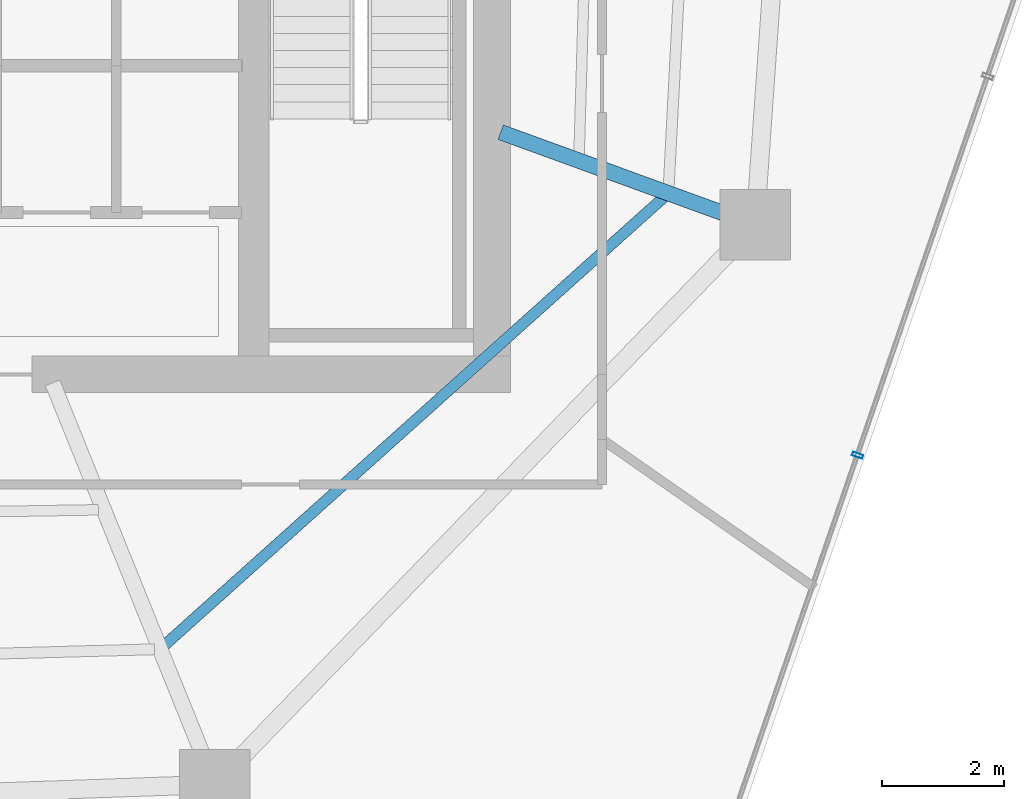
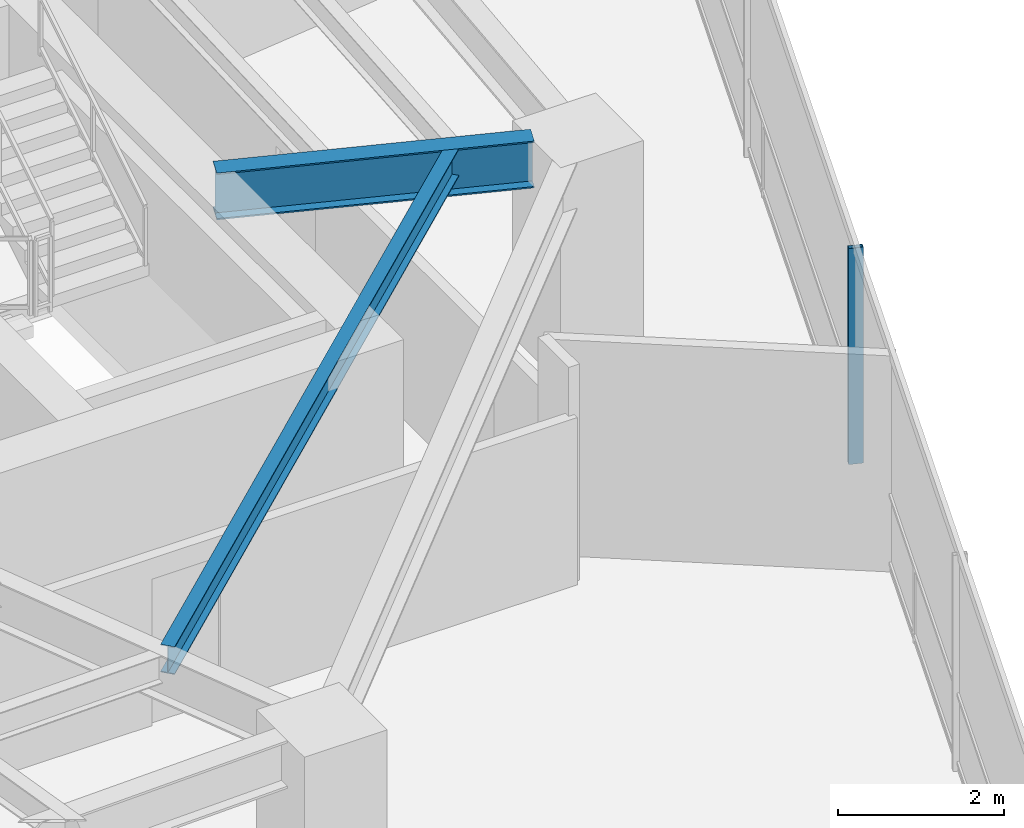
# One storey, part 11 of 27: 2 beams, 1 member, 1 element without a shape of its own.
"""IFC4 building model written with IfcOpenShell, lengths in metres."""

import ifcopenshell
import ifcopenshell.guid

model = None  # the IFC model being written
_history = None  # IfcOwnerHistory: only IFC2X3 demands one
_inside = {}  # id of a spatial element -> (the spatial element, [elements in it])
_under = {}  # id of a project, library or spatial element -> (it, [spatial elements below it])
_declared = {}  # id of a project -> (the project, [libraries it declares])
_typed = {}  # id of a type object -> (the type object, [elements of that type])
_made_of = {}  # id of a material, layer set ... -> (it, [elements and type objects made of it])


def new_model(schema):
    """Start an empty IFC model of exactly this schema.

    Asked for "IFC4X3", IfcOpenShell would pick the latest addendum, in which some entities
    have other attributes; the version numbers below select the first issue.
    IFC2X3 requires an IfcOwnerHistory on every rooted entity: one is made here for all.
    """
    global model, _history
    if schema == "IFC4X3":
        model = ifcopenshell.file(schema_version=(4, 3, 0, 0))
    else:
        model = ifcopenshell.file(schema=schema)
    _inside.clear()
    _under.clear()
    _declared.clear()
    _typed.clear()
    _made_of.clear()
    _history = None
    if model.schema == "IFC2X3":
        org = make("IfcOrganization", Name="unknown")
        user = make(
            "IfcPersonAndOrganization",
            ThePerson=make("IfcPerson", FamilyName="unknown"),
            TheOrganization=org,
        )
        app = make(
            "IfcApplication",
            ApplicationDeveloper=org,
            Version="unknown",
            ApplicationFullName="unknown",
            ApplicationIdentifier="unknown",
        )
        _history = make(
            "IfcOwnerHistory",
            OwningUser=user,
            OwningApplication=app,
            ChangeAction="ADDED",
            CreationDate=0,
        )
    return model


def make(cls, **values):
    """One entity of the class cls with the attributes given. An attribute that is None is left unset."""
    return model.create_entity(
        cls, **{name: value for name, value in values.items() if value is not None}
    )


def rooted(cls, **values):
    """An entity with a GlobalId (a new one), such as an element, a storey or a relation."""
    return make(cls, GlobalId=ifcopenshell.guid.new(), OwnerHistory=_history, **values)


def si_unit(unit_type, name, prefix=None):
    """IfcSIUnit, for example si_unit("LENGTHUNIT", "METRE", prefix="MILLI")."""
    return make("IfcSIUnit", UnitType=unit_type, Prefix=prefix, Name=name)


def assignment(units):
    """IfcUnitAssignment: the units of a project."""
    return None if units is None else make("IfcUnitAssignment", Units=units)


def point(xyz):
    """IfcCartesianPoint."""
    return None if xyz is None else make("IfcCartesianPoint", Coordinates=xyz)


def direction(xyz):
    """IfcDirection."""
    return None if xyz is None else make("IfcDirection", DirectionRatios=xyz)


def frame(location, z_axis=None, x_axis=None):
    """IfcAxis2Placement3D, a coordinate frame: its origin and axes. An axis left out is left unset."""
    return make(
        "IfcAxis2Placement3D",
        Location=point(location),
        Axis=direction(z_axis),
        RefDirection=direction(x_axis),
    )


def frame_2d(location, x_axis=None):
    """IfcAxis2Placement2D, a coordinate frame in the plane: its origin and x axis."""
    return make(
        "IfcAxis2Placement2D", Location=point(location), RefDirection=direction(x_axis)
    )


def origin():
    """The frame at (0, 0, 0) with its axes left unset."""
    return frame((0.0, 0.0, 0.0))


def origin_2d():
    """The frame at (0, 0) in the plane with its x axis left unset."""
    return frame_2d((0.0, 0.0))


def place(relative_to, where):
    """IfcLocalPlacement: puts the frame where relative to a parent placement (None: the world)."""
    return make(
        "IfcLocalPlacement", PlacementRelTo=relative_to, RelativePlacement=where
    )


def context(
    kind, dimensions, precision=None, world=None, true_north=None, identifier=None
):
    """IfcGeometricRepresentationContext, for example the 3D "Model" context."""
    return make(
        "IfcGeometricRepresentationContext",
        ContextIdentifier=identifier,
        ContextType=kind,
        CoordinateSpaceDimension=dimensions,
        Precision=precision,
        WorldCoordinateSystem=world,
        TrueNorth=true_north,
    )


def subcontext(parent, identifier, kind, view, scale=None):
    """IfcGeometricRepresentationSubContext, for example "Body" below "Model"."""
    return make(
        "IfcGeometricRepresentationSubContext",
        ContextIdentifier=identifier,
        ContextType=kind,
        ParentContext=parent,
        TargetScale=scale,
        TargetView=view,
    )


def project(units=None, contexts=None):
    """IfcProject with its units and contexts."""
    return rooted(
        "IfcProject",
        Name="project",
        RepresentationContexts=contexts,
        UnitsInContext=assignment(units),
    )


def spatial(cls, under=None, at=None, **own):
    """A site, building, storey or space (cls), placed at a placement, below another one or the project."""
    s = rooted(cls, ObjectPlacement=at, **own)
    if under is not None:
        _under.setdefault(under.id(), (under, []))[1].append(s)
    return s


def profile(cls, at=None, kind="AREA", **sizes):
    """A parametric profile (cls). Its sizes go by their IFC names, for example OverallWidth=200.0."""
    return make(cls, ProfileType=kind, Position=at, **sizes)


def hollow_rectangle(**sizes):
    """IfcRectangleHollowProfileDef."""
    return profile("IfcRectangleHollowProfileDef", **sizes)


def i_section(**sizes):
    """IfcIShapeProfileDef."""
    return profile("IfcIShapeProfileDef", **sizes)


def extrude(swept, where, along, depth):
    """IfcExtrudedAreaSolid: the profile swept, set in the frame where, extruded along a direction by depth."""
    return make(
        "IfcExtrudedAreaSolid",
        SweptArea=swept,
        Position=where,
        ExtrudedDirection=direction(along),
        Depth=depth,
    )


def shape(context_of_items, identifier, shape_type, items):
    """IfcShapeRepresentation: the items that make up one representation, for example the "Body"."""
    return make(
        "IfcShapeRepresentation",
        ContextOfItems=context_of_items,
        RepresentationIdentifier=identifier,
        RepresentationType=shape_type,
        Items=items,
    )


def material(Name=None, Category=None):
    """IfcMaterial."""
    return make("IfcMaterial", Name=Name, Category=Category)


def layer(
    of_material, thickness, ventilated=None, Name=None, Category=None, Priority=None
):
    """IfcMaterialLayer: one layer of a wall or slab, of a material (None: an air gap)."""
    return make(
        "IfcMaterialLayer",
        Material=of_material,
        LayerThickness=thickness,
        IsVentilated=ventilated,
        Name=Name,
        Category=Category,
        Priority=Priority,
    )


def layer_set(layers, Name=None):
    """IfcMaterialLayerSet."""
    return make("IfcMaterialLayerSet", MaterialLayers=layers, LayerSetName=Name)


def material_profile(
    of_material, cross_section, Name=None, Category=None, Priority=None
):
    """IfcMaterialProfile: a cross section and its material."""
    return make(
        "IfcMaterialProfile",
        Name=Name,
        Material=of_material,
        Profile=cross_section,
        Priority=Priority,
        Category=Category,
    )


def profile_set(profiles, Name=None, composite=None):
    """IfcMaterialProfileSet."""
    return make(
        "IfcMaterialProfileSet",
        Name=Name,
        MaterialProfiles=profiles,
        CompositeProfile=composite,
    )


def made_of(thing, what):
    """Note that an element or type object is made of a material, layer set ...; save() writes the relation."""
    if what is not None:
        _made_of.setdefault(what.id(), (what, []))[1].append(thing)
    return thing


def type_object(cls, material=None, **own):
    """A type object (cls), such as IfcWallType, which elements share."""
    return made_of(rooted(cls, **own), material)


def element(
    cls,
    number,
    at=None,
    inside=None,
    cuts=None,
    type_object=None,
    material=None,
    context=None,
    identifier="Body",
    shape_type=None,
    held_by="IfcProductDefinitionShape",
    body=None,
    shapes=None,
    **own,
):
    """One element of the class cls, such as IfcWall. Its Tag is "e" and its number.

    at: its placement. inside: the storey or other place that contains it. cuts: it is an
    opening in that element (IfcRelVoidsElement). A single representation is given by context,
    identifier, shape_type and body (its items); several are given by shapes. held_by: the class
    of the entity that holds the representations. save() writes the other relations.
    """
    e = rooted(cls, Tag="e%d" % number, ObjectPlacement=at, **own)
    if body is not None:
        shapes = [shape(context, identifier, shape_type, body)]
    if shapes is not None:
        e.Representation = make(held_by, Representations=shapes)
    if inside is not None:
        _inside.setdefault(inside.id(), (inside, []))[1].append(e)
    if cuts is not None:
        rooted(
            "IfcRelVoidsElement", RelatingBuildingElement=cuts, RelatedOpeningElement=e
        )
    if type_object is not None:
        _typed.setdefault(type_object.id(), (type_object, []))[1].append(e)
    return made_of(e, material)


def aggregate(whole, parts):
    """IfcRelAggregates: a whole, such as a stair, and the parts it consists of."""
    return rooted("IfcRelAggregates", RelatingObject=whole, RelatedObjects=parts)


def save(model, path):
    """Write the relations noted so far, then the file.

    IfcRelAggregates (storeys below a building ...), IfcRelContainedInSpatialStructure (elements
    in a storey), IfcRelDefinesByType, IfcRelAssociatesMaterial and IfcRelDeclares: one each for
    every whole, place, type object, material and project.
    """
    for whole, parts in _under.values():
        aggregate(whole, parts)
    for where, things in _inside.values():
        rooted(
            "IfcRelContainedInSpatialStructure",
            RelatedElements=things,
            RelatingStructure=where,
        )
    for kind, things in _typed.values():
        rooted("IfcRelDefinesByType", RelatedObjects=things, RelatingType=kind)
    for what, things in _made_of.values():
        rooted("IfcRelAssociatesMaterial", RelatedObjects=things, RelatingMaterial=what)
    for by, libraries in _declared.values():
        rooted("IfcRelDeclares", RelatingContext=by, RelatedDefinitions=libraries)
    model.write(path)


model = new_model("IFC4")

# Units and contexts
model_context = context("Model", 3, precision=1e-05, world=origin(), true_north=direction((0.0, 1.0)))
body_context = subcontext(model_context, "Body", "Model", "MODEL_VIEW")
ifc_project = project(units=[si_unit("LENGTHUNIT", "METRE"), si_unit("AREAUNIT", "SQUARE_METRE"), si_unit("VOLUMEUNIT", "CUBIC_METRE"), si_unit("PLANEANGLEUNIT", "RADIAN"), si_unit("MASSUNIT", "GRAM", prefix="KILO")], contexts=[model_context])

# Site, building, storey
site_placement = place(None, origin())
site = spatial("IfcSite", under=ifc_project, at=site_placement, CompositionType="ELEMENT")
building_placement = place(site_placement, origin())
building = spatial("IfcBuilding", under=site, at=building_placement, Name="Qarnah Convention Tower", CompositionType="ELEMENT")
storey_placement = place(building_placement, frame((0.0, 0.0, 107.39990234375)))
storey = spatial("IfcBuildingStorey", under=building, at=storey_placement, Name="L28", CompositionType="ELEMENT", Elevation=107.39990234375)

# Beams
ifc_material_1 = material(Name="Structural steel S355JR", Category="steel")
ifc_material_profile_1 = material_profile(ifc_material_1, i_section(OverallWidth=0.177978515625, OverallDepth=0.407958984375, WebThickness=0.008056640625, FlangeThickness=0.012939453125, at=origin_2d()), Name="W410X60")
ifc_profile_set_1 = profile_set([ifc_material_profile_1], Name="Structural steel S355JR")
beam_type_1 = type_object("IfcBeamType", Name="BM-JST-W410", PredefinedType="JOIST", material=ifc_profile_set_1)
beam_1_placement = place(storey_placement, frame((42.235107421875, 14.1640625, 2.966064453125), z_axis=(0.744411827148, 0.667720773679, 0.0), x_axis=(-0.667720773679, 0.744411827148, 0.0)))
element("IfcBeam", 1, at=beam_1_placement, inside=storey, type_object=beam_type_1, Name="L28 joist BM-L28-SJST-08", PredefinedType="JOIST", context=body_context, shape_type="SweptSolid", body=[
    extrude(i_section(OverallWidth=0.177978515625, OverallDepth=0.407958984375, WebThickness=0.008056640625, FlangeThickness=0.012939453125, at=origin_2d()), origin(), (0.0, 0.0, 1.0), 10.992431640625),
])
ifc_material_profile_2 = material_profile(ifc_material_1, i_section(OverallWidth=0.25390625, OverallDepth=0.68798828125, WebThickness=0.012939453125, FlangeThickness=0.02099609375, at=origin_2d()), Name="W690X152")
ifc_profile_set_2 = profile_set([ifc_material_profile_2], Name="Structural steel S355JR")
beam_type_2 = type_object("IfcBeamType", Name="BM-RAD-W690", PredefinedType="BEAM", material=ifc_profile_set_2)
beam_2_placement = place(storey_placement, frame((47.740966796875, 22.56298828125, 2.826171875), z_axis=(0.93969593668, -0.342011032845, 0.0), x_axis=(0.342011032845, 0.93969593668, 0.0)))
element("IfcBeam", 2, at=beam_2_placement, inside=storey, type_object=beam_type_2, Name="L28 beam BM-L28-RAD-09", PredefinedType="BEAM", context=body_context, shape_type="SweptSolid", body=[
    extrude(i_section(OverallWidth=0.25390625, OverallDepth=0.68798828125, WebThickness=0.012939453125, FlangeThickness=0.02099609375, at=origin_2d()), origin(), (0.0, 0.0, 1.0), 3.876953125),
])

# Curtain wall, member
ifc_material_2 = material(Name="Tempered Low-E dark glass", Category="glass")
ifc_layer = layer(ifc_material_2, 0.169921875)
ifc_layer_set = layer_set([ifc_layer], Name="Tempered Low-E dark glass")
curtain_wall_type = type_object("IfcCurtainWallType", Name="CWS-02", PredefinedType="NOTDEFINED", material=ifc_layer_set)
curtain_wall_placement = place(storey_placement, origin())
curtain_wall = element("IfcCurtainWall", 3, at=curtain_wall_placement, inside=storey, type_object=curtain_wall_type, Name="L28 unitised curtain wall CW-L28-F2", PredefinedType="NOTDEFINED")
ifc_material_3 = material(Name="Black anodised aluminium", Category="aluminium")
ifc_material_profile_3 = material_profile(ifc_material_3, hollow_rectangle(XDim=0.06494140625, YDim=0.179931640625, WallThickness=0.00390625, at=origin_2d()), Name="MUL-65X180")
ifc_profile_set_3 = profile_set([ifc_material_profile_3], Name="Black anodised aluminium")
member_type = type_object("IfcMemberType", Name="MUL-T2", PredefinedType="MULLION", material=ifc_profile_set_3)
member_placement = place(storey_placement, frame((53.581298828125, 17.27587890625, 0.0), z_axis=(0.0, 0.0, 1.0), x_axis=(-0.324901541187, -0.94574784617, 0.0)))
member = element("IfcMember", 4, at=member_placement, type_object=member_type, Name="CW-L28-F2 mullion 4", PredefinedType="MULLION", context=body_context, shape_type="SweptSolid", body=[
    extrude(hollow_rectangle(XDim=0.06494140625, YDim=0.179931640625, WallThickness=0.00390625, at=origin_2d()), origin(), (0.0, 0.0, 1.0), 3.170166015625),
])
aggregate(curtain_wall, [member])

save(model, "model.ifc")
